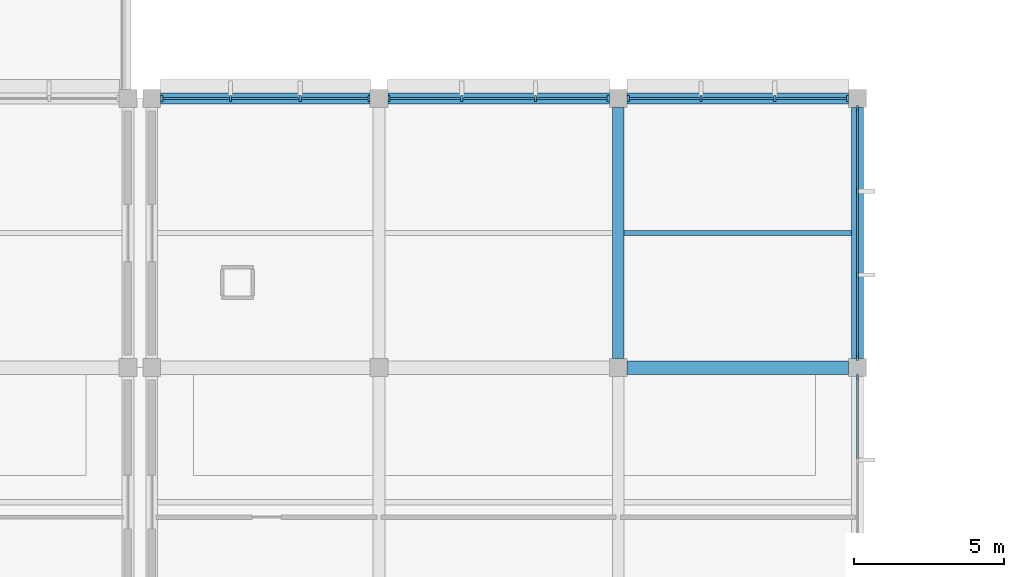
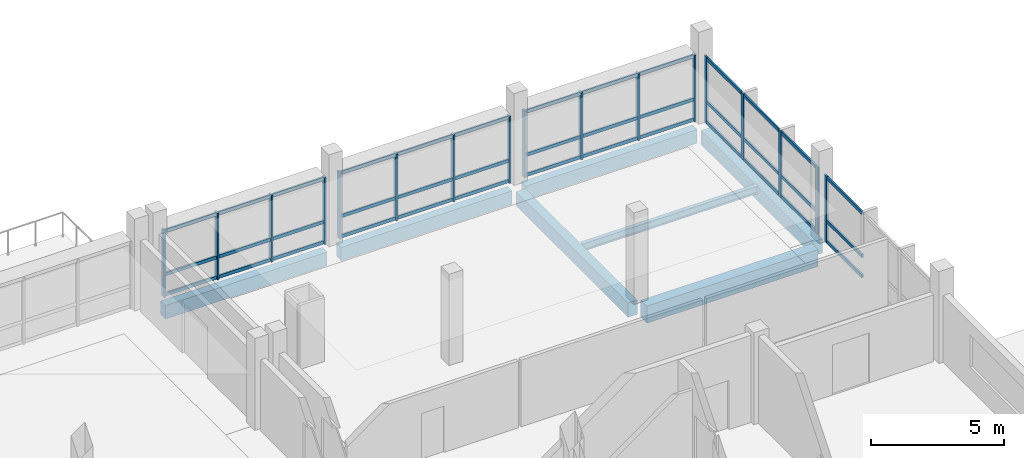
# One storey, part 41 of 70: 56 members, 7 beams, 5 elements without a shape of their own.
"""IFC4 building model written with IfcOpenShell, lengths in metres."""

from ifc_helpers import new_model, si_unit, direction, frame, origin, origin_2d, place, context, subcontext, project, spatial, rectangle, i_section, extrude, material, material_profile, profile_set, type_object, element, aggregate, save


model = new_model("IFC4")

# Units and contexts
model_context = context("Model", 3, precision=1e-05, world=origin(), true_north=direction((0.0, 1.0)))
body_context = subcontext(model_context, "Body", "Model", "MODEL_VIEW")
ifc_project = project(units=[si_unit("LENGTHUNIT", "METRE"), si_unit("AREAUNIT", "SQUARE_METRE"), si_unit("VOLUMEUNIT", "CUBIC_METRE"), si_unit("PLANEANGLEUNIT", "RADIAN"), si_unit("MASSUNIT", "GRAM", prefix="KILO"), si_unit("THERMODYNAMICTEMPERATUREUNIT", "KELVIN"), si_unit("POWERUNIT", "WATT")], contexts=[model_context])

# Site, building, storey
site_placement = place(None, origin())
site = spatial("IfcSite", under=ifc_project, at=site_placement, CompositionType="ELEMENT")
building_placement = place(site_placement, origin())
building = spatial("IfcBuilding", under=site, at=building_placement, Name="Kronsvod Quay Wholesale Market", CompositionType="ELEMENT")
storey_placement = place(building_placement, frame((0.0, 0.0, 9.0)))
storey = spatial("IfcBuildingStorey", under=building, at=storey_placement, Name="L02", CompositionType="ELEMENT", Elevation=9.0)

# Beams
ifc_material_1 = material(Name="Precast concrete C40/50", Category="concrete")
ifc_material_profile_1 = material_profile(ifc_material_1, rectangle(XDim=0.39990234375, YDim=0.64990234375, at=origin_2d()), Name="PCB400x650")
ifc_profile_set_1 = profile_set([ifc_material_profile_1], Name="Precast concrete C40/50")
beam_type_1 = type_object("IfcBeamType", Name="Beam_PCB400x650", PredefinedType="BEAM", material=ifc_profile_set_1)
for number, where, z_axis, x_axis, name in (
    (1, (144.0, 117.300048828125, -0.635009765625), (0.0, 1.0, 0.0), (-1.0, 0.0, 0.0), "BMY-L02-1440-1170"),
    (2, (152.0, 117.300048828125, -0.635009765625), (0.0, 1.0, 0.0), (-1.0, 0.0, 0.0), "BMY-L02-1520-1170"),
):
    element("IfcBeam", number, at=place(storey_placement, frame(where, z_axis=z_axis, x_axis=x_axis)), inside=storey, type_object=beam_type_1, Name=name, PredefinedType="BEAM", context=body_context, shape_type="SweptSolid", body=[
        extrude(rectangle(XDim=0.39990234375, YDim=0.64990234375, at=origin_2d()), origin(), (0.0, 0.0, 1.0), 8.39990234375),
    ])
ifc_material_2 = material(Name="Precast concrete C40/50", Category="concrete")
ifc_material_profile_2 = material_profile(ifc_material_2, rectangle(XDim=0.4599609375, YDim=0.780029296875, at=origin_2d()), Name="PB-03")
ifc_profile_set_2 = profile_set([ifc_material_profile_2], Name="Precast concrete C40/50")
beam_type_2 = type_object("IfcBeamType", Name="Beam_PCB460x780", PredefinedType="BEAM", material=ifc_profile_set_2)
beam_1_placement = place(storey_placement, frame((144.300048828125, 117.0, -0.699951171875), z_axis=(1.0, 0.0, 0.0), x_axis=(0.0, 1.0, 0.0)))
element("IfcBeam", 3, at=beam_1_placement, inside=storey, type_object=beam_type_2, Name="BMX-L02-1440-1170", PredefinedType="BEAM", context=body_context, shape_type="SweptSolid", body=[
    extrude(rectangle(XDim=0.4599609375, YDim=0.780029296875, at=origin_2d()), origin(), (0.0, 0.0, 1.0), 7.39990234375),
])
ifc_material_3 = material(Name="Steel S355", Category="steel")
ifc_material_profile_3 = material_profile(ifc_material_3, i_section(OverallWidth=0.174072265625, OverallDepth=0.345947265625, WebThickness=0.006103515625, FlangeThickness=0.009033203125, FilletRadius=0.013916015625, at=origin_2d()), Name="35B1")
ifc_profile_set_3 = profile_set([ifc_material_profile_3], Name="Steel S355")
beam_type_3 = type_object("IfcBeamType", Name="Joist_Steel35B1", PredefinedType="JOIST", material=ifc_profile_set_3)
beam_2_placement = place(storey_placement, frame((144.195068359375, 121.5, -0.423095703125), z_axis=(1.0, 0.0, 0.0), x_axis=(0.0, 1.0, 0.0)))
element("IfcBeam", 4, at=beam_2_placement, inside=storey, type_object=beam_type_3, Name="JSTX-L02-1440-1170", PredefinedType="JOIST", context=body_context, shape_type="SweptSolid", body=[
    extrude(i_section(OverallWidth=0.174072265625, OverallDepth=0.345947265625, WebThickness=0.006103515625, FlangeThickness=0.009033203125, FilletRadius=0.013916015625, at=origin_2d()), origin(), (0.0, 0.0, 1.0), 7.60986328125),
])

# Curtain wall, members
ifc_material_4 = material(Name="Thermally broken aluminium and triple low-E glazing", Category="aluminium")
curtain_wall_type_1 = type_object("IfcCurtainWallType", Name="CW_Harbour76x33", PredefinedType="NOTDEFINED", material=ifc_material_4)
curtain_wall_1_placement = place(storey_placement, origin())
curtain_wall_1 = element("IfcCurtainWall", 5, at=curtain_wall_1_placement, inside=storey, type_object=curtain_wall_type_1, Name="CWGX-L02-1284-1260", PredefinedType="NOTDEFINED")
ifc_material_5 = material(Name="Anodised aluminium", Category="aluminium")
ifc_material_profile_4 = material_profile(ifc_material_5, rectangle(XDim=0.074951171875, YDim=0.199951171875, at=origin_2d()), Name="ALUM75x200")
ifc_profile_set_4 = profile_set([ifc_material_profile_4], Name="Anodised aluminium")
member_type_1 = type_object("IfcMemberType", Name="Mullion_ALU75x200", PredefinedType="MULLION", material=ifc_profile_set_4)
member_1_placement = place(storey_placement, frame((135.66748046875, 126.0, 0.0), z_axis=(0.0, 0.0, 1.0), x_axis=(1.0, 0.0, 0.0)))
member_1 = element("IfcMember", 6, at=member_1_placement, type_object=member_type_1, Name="CWGX-L02-1284-1260-M1", PredefinedType="MULLION", context=body_context, shape_type="SweptSolid", body=[
    extrude(rectangle(XDim=0.074951171875, YDim=0.199951171875, at=origin_2d()), origin(), (0.0, 0.0, 1.0), 3.050048828125),
])
member_2_placement = place(storey_placement, frame((133.368408203125, 126.0, 0.0), z_axis=(0.0, 0.0, 1.0), x_axis=(1.0, 0.0, 0.0)))
member_2 = element("IfcMember", 7, at=member_2_placement, type_object=member_type_1, Name="CWGX-L02-1284-1260-M2", PredefinedType="MULLION", context=body_context, shape_type="SweptSolid", body=[
    extrude(rectangle(XDim=0.074951171875, YDim=0.199951171875, at=origin_2d()), origin(), (0.0, 0.0, 1.0), 3.050048828125),
])
member_3_placement = place(storey_placement, frame((131.03173828125, 126.0, 0.0), z_axis=(0.0, 0.0, 1.0), x_axis=(1.0, 0.0, 0.0)))
member_3 = element("IfcMember", 8, at=member_3_placement, type_object=member_type_1, Name="CWGX-L02-1284-1260-M3", PredefinedType="MULLION", context=body_context, shape_type="SweptSolid", body=[
    extrude(rectangle(XDim=0.074951171875, YDim=0.199951171875, at=origin_2d()), origin(), (0.0, 0.0, 1.0), 3.050048828125),
])
member_4_placement = place(storey_placement, frame((128.732421875, 126.0, 0.0), z_axis=(0.0, 0.0, 1.0), x_axis=(1.0, 0.0, 0.0)))
member_4 = element("IfcMember", 9, at=member_4_placement, type_object=member_type_1, Name="CWGX-L02-1284-1260-M4", PredefinedType="MULLION", context=body_context, shape_type="SweptSolid", body=[
    extrude(rectangle(XDim=0.074951171875, YDim=0.199951171875, at=origin_2d()), origin(), (0.0, 0.0, 1.0), 3.050048828125),
])

ifc_material_6 = material(Name="Thermally broken aluminium and triple low-E glazing", Category="aluminium")
curtain_wall_type_2 = type_object("IfcCurtainWallType", Name="CW_Harbour80x33", PredefinedType="NOTDEFINED", material=ifc_material_6)
curtain_wall_2_placement = place(storey_placement, origin())
curtain_wall_2 = element("IfcCurtainWall", 10, at=curtain_wall_2_placement, inside=storey, type_object=curtain_wall_type_2, Name="CWGX-L02-1360-1260", PredefinedType="NOTDEFINED")
member_5_placement = place(storey_placement, frame((143.66748046875, 126.0, 0.0), z_axis=(0.0, 0.0, 1.0), x_axis=(1.0, 0.0, 0.0)))
member_5 = element("IfcMember", 11, at=member_5_placement, type_object=member_type_1, Name="CWGX-L02-1360-1260-M1", PredefinedType="MULLION", context=body_context, shape_type="SweptSolid", body=[
    extrude(rectangle(XDim=0.074951171875, YDim=0.199951171875, at=origin_2d()), origin(), (0.0, 0.0, 1.0), 3.050048828125),
])
member_6_placement = place(storey_placement, frame((141.235107421875, 126.0, 0.0), z_axis=(0.0, 0.0, 1.0), x_axis=(1.0, 0.0, 0.0)))
member_6 = element("IfcMember", 12, at=member_6_placement, type_object=member_type_1, Name="CWGX-L02-1360-1260-M2", PredefinedType="MULLION", context=body_context, shape_type="SweptSolid", body=[
    extrude(rectangle(XDim=0.074951171875, YDim=0.199951171875, at=origin_2d()), origin(), (0.0, 0.0, 1.0), 3.050048828125),
])
member_7_placement = place(storey_placement, frame((138.764892578125, 126.0, 0.0), z_axis=(0.0, 0.0, 1.0), x_axis=(1.0, 0.0, 0.0)))
member_7 = element("IfcMember", 13, at=member_7_placement, type_object=member_type_1, Name="CWGX-L02-1360-1260-M3", PredefinedType="MULLION", context=body_context, shape_type="SweptSolid", body=[
    extrude(rectangle(XDim=0.074951171875, YDim=0.199951171875, at=origin_2d()), origin(), (0.0, 0.0, 1.0), 3.050048828125),
])
member_8_placement = place(storey_placement, frame((136.33251953125, 126.0, 0.0), z_axis=(0.0, 0.0, 1.0), x_axis=(1.0, 0.0, 0.0)))
member_8 = element("IfcMember", 14, at=member_8_placement, type_object=member_type_1, Name="CWGX-L02-1360-1260-M4", PredefinedType="MULLION", context=body_context, shape_type="SweptSolid", body=[
    extrude(rectangle(XDim=0.074951171875, YDim=0.199951171875, at=origin_2d()), origin(), (0.0, 0.0, 1.0), 3.050048828125),
])

curtain_wall_3_placement = place(storey_placement, origin())
curtain_wall_3 = element("IfcCurtainWall", 15, at=curtain_wall_3_placement, inside=storey, type_object=curtain_wall_type_2, Name="CWGX-L02-1440-1260", PredefinedType="NOTDEFINED")
member_9_placement = place(storey_placement, frame((151.66748046875, 126.0, 0.0), z_axis=(0.0, 0.0, 1.0), x_axis=(1.0, 0.0, 0.0)))
member_9 = element("IfcMember", 16, at=member_9_placement, type_object=member_type_1, Name="CWGX-L02-1440-1260-M1", PredefinedType="MULLION", context=body_context, shape_type="SweptSolid", body=[
    extrude(rectangle(XDim=0.074951171875, YDim=0.199951171875, at=origin_2d()), origin(), (0.0, 0.0, 1.0), 3.050048828125),
])
member_10_placement = place(storey_placement, frame((149.235107421875, 126.0, 0.0), z_axis=(0.0, 0.0, 1.0), x_axis=(1.0, 0.0, 0.0)))
member_10 = element("IfcMember", 17, at=member_10_placement, type_object=member_type_1, Name="CWGX-L02-1440-1260-M2", PredefinedType="MULLION", context=body_context, shape_type="SweptSolid", body=[
    extrude(rectangle(XDim=0.074951171875, YDim=0.199951171875, at=origin_2d()), origin(), (0.0, 0.0, 1.0), 3.050048828125),
])
member_11_placement = place(storey_placement, frame((146.764892578125, 126.0, 0.0), z_axis=(0.0, 0.0, 1.0), x_axis=(1.0, 0.0, 0.0)))
member_11 = element("IfcMember", 18, at=member_11_placement, type_object=member_type_1, Name="CWGX-L02-1440-1260-M3", PredefinedType="MULLION", context=body_context, shape_type="SweptSolid", body=[
    extrude(rectangle(XDim=0.074951171875, YDim=0.199951171875, at=origin_2d()), origin(), (0.0, 0.0, 1.0), 3.050048828125),
])
member_12_placement = place(storey_placement, frame((144.33251953125, 126.0, 0.0), z_axis=(0.0, 0.0, 1.0), x_axis=(1.0, 0.0, 0.0)))
member_12 = element("IfcMember", 19, at=member_12_placement, type_object=member_type_1, Name="CWGX-L02-1440-1260-M4", PredefinedType="MULLION", context=body_context, shape_type="SweptSolid", body=[
    extrude(rectangle(XDim=0.074951171875, YDim=0.199951171875, at=origin_2d()), origin(), (0.0, 0.0, 1.0), 3.050048828125),
])

# Curtain wall, member
ifc_material_7 = material(Name="Thermally broken aluminium and triple low-E glazing", Category="aluminium")
curtain_wall_type_3 = type_object("IfcCurtainWallType", Name="CW_Wing90x33", PredefinedType="NOTDEFINED", material=ifc_material_7)
curtain_wall_4_placement = place(storey_placement, origin())
curtain_wall_4 = element("IfcCurtainWall", 20, at=curtain_wall_4_placement, inside=storey, type_object=curtain_wall_type_3, Name="CWGY-L02-1520-1080", PredefinedType="NOTDEFINED")
member_13_placement = place(storey_placement, frame((152.0, 116.66748046875, 0.0), z_axis=(0.0, 0.0, 1.0), x_axis=(1.0, 0.0, 0.0)))
member_13 = element("IfcMember", 21, at=member_13_placement, type_object=member_type_1, Name="CWGY-L02-1520-1080-M4", PredefinedType="MULLION", context=body_context, shape_type="SweptSolid", body=[
    extrude(rectangle(XDim=0.074951171875, YDim=0.199951171875, at=origin_2d()), origin(), (0.0, 0.0, 1.0), 3.050048828125),
])

# Curtain wall, members
curtain_wall_5_placement = place(storey_placement, origin())
curtain_wall_5 = element("IfcCurtainWall", 22, at=curtain_wall_5_placement, inside=storey, type_object=curtain_wall_type_3, Name="CWGY-L02-1520-1170", PredefinedType="NOTDEFINED")
member_14_placement = place(storey_placement, frame((152.0, 117.33251953125, 0.0), z_axis=(0.0, 0.0, 1.0), x_axis=(1.0, 0.0, 0.0)))
member_14 = element("IfcMember", 23, at=member_14_placement, type_object=member_type_1, Name="CWGY-L02-1520-1170-M1", PredefinedType="MULLION", context=body_context, shape_type="SweptSolid", body=[
    extrude(rectangle(XDim=0.074951171875, YDim=0.199951171875, at=origin_2d()), origin(), (0.0, 0.0, 1.0), 3.050048828125),
])
member_15_placement = place(storey_placement, frame((152.0, 120.098388671875, 0.0), z_axis=(0.0, 0.0, 1.0), x_axis=(1.0, 0.0, 0.0)))
member_15 = element("IfcMember", 24, at=member_15_placement, type_object=member_type_1, Name="CWGY-L02-1520-1170-M2", PredefinedType="MULLION", context=body_context, shape_type="SweptSolid", body=[
    extrude(rectangle(XDim=0.074951171875, YDim=0.199951171875, at=origin_2d()), origin(), (0.0, 0.0, 1.0), 3.050048828125),
])
member_16_placement = place(storey_placement, frame((152.0, 122.901611328125, 0.0), z_axis=(0.0, 0.0, 1.0), x_axis=(1.0, 0.0, 0.0)))
member_16 = element("IfcMember", 25, at=member_16_placement, type_object=member_type_1, Name="CWGY-L02-1520-1170-M3", PredefinedType="MULLION", context=body_context, shape_type="SweptSolid", body=[
    extrude(rectangle(XDim=0.074951171875, YDim=0.199951171875, at=origin_2d()), origin(), (0.0, 0.0, 1.0), 3.050048828125),
])
member_17_placement = place(storey_placement, frame((152.0, 125.66748046875, 0.0), z_axis=(0.0, 0.0, 1.0), x_axis=(1.0, 0.0, 0.0)))
member_17 = element("IfcMember", 26, at=member_17_placement, type_object=member_type_1, Name="CWGY-L02-1520-1170-M4", PredefinedType="MULLION", context=body_context, shape_type="SweptSolid", body=[
    extrude(rectangle(XDim=0.074951171875, YDim=0.199951171875, at=origin_2d()), origin(), (0.0, 0.0, 1.0), 3.050048828125),
])

# Beams
ifc_material_8 = material(Name="Precast concrete C40/50", Category="concrete")
ifc_material_profile_5 = material_profile(ifc_material_8, rectangle(XDim=0.360107421875, YDim=0.6201171875, at=origin_2d()), Name="SPB-02")
ifc_profile_set_5 = profile_set([ifc_material_profile_5], Name="Precast concrete C40/50")
beam_type_4 = type_object("IfcBeamType", Name="Spandrel_PCSP360x620", PredefinedType="SPANDREL", material=ifc_profile_set_5)
beam_3_placement = place(storey_placement, frame((128.699951171875, 126.0, -0.6201171875), z_axis=(1.0, 0.0, 0.0), x_axis=(0.0, 1.0, 0.0)))
element("IfcBeam", 27, at=beam_3_placement, inside=storey, type_object=beam_type_4, Name="BMX-L02-1284-1260", PredefinedType="SPANDREL", context=body_context, shape_type="SweptSolid", body=[
    extrude(rectangle(XDim=0.360107421875, YDim=0.6201171875, at=origin_2d()), origin(), (0.0, 0.0, 1.0), 7.0),
])
for number, where, z_axis, x_axis, name in (
    (28, (136.300048828125, 126.0, -0.6201171875), (1.0, 0.0, 0.0), (0.0, 1.0, 0.0), "BMX-L02-1360-1260"),
    (29, (144.300048828125, 126.0, -0.6201171875), (1.0, 0.0, 0.0), (0.0, 1.0, 0.0), "BMX-L02-1440-1260"),
):
    element("IfcBeam", number, at=place(storey_placement, frame(where, z_axis=z_axis, x_axis=x_axis)), inside=storey, type_object=beam_type_4, Name=name, PredefinedType="SPANDREL", context=body_context, shape_type="SweptSolid", body=[
        extrude(rectangle(XDim=0.360107421875, YDim=0.6201171875, at=origin_2d()), origin(), (0.0, 0.0, 1.0), 7.39990234375),
    ])

# Member
ifc_material_9 = material(Name="Anodised aluminium", Category="aluminium")
ifc_material_profile_6 = material_profile(ifc_material_9, rectangle(XDim=0.074951171875, YDim=0.14990234375, at=origin_2d()), Name="ALUT75x150")
ifc_profile_set_6 = profile_set([ifc_material_profile_6], Name="Anodised aluminium")
member_type_2 = type_object("IfcMemberType", Name="Transom_ALU75x150", PredefinedType="USERDEFINED", material=ifc_profile_set_6)
member_18_placement = place(storey_placement, frame((135.6298828125, 126.0, 0.074951171875), z_axis=(-1.0, 0.0, 0.0), x_axis=(0.0, -1.0, 0.0)))
member_18 = element("IfcMember", 30, at=member_18_placement, type_object=member_type_2, Name="CWGX-L02-1284-1260-T1B1", ObjectType="TRANSOM", PredefinedType="USERDEFINED", context=body_context, shape_type="SweptSolid", body=[
    extrude(rectangle(XDim=0.074951171875, YDim=0.14990234375, at=origin_2d()), origin(), (0.0, 0.0, 1.0), 2.22412109375),
])

member_19_placement = place(storey_placement, frame((133.330810546875, 126.0, 0.074951171875), z_axis=(-1.0, 0.0, 0.0), x_axis=(0.0, -1.0, 0.0)))
member_19 = element("IfcMember", 31, at=member_19_placement, type_object=member_type_2, Name="CWGX-L02-1284-1260-T1B2", ObjectType="TRANSOM", PredefinedType="USERDEFINED", context=body_context, shape_type="SweptSolid", body=[
    extrude(rectangle(XDim=0.074951171875, YDim=0.14990234375, at=origin_2d()), origin(), (0.0, 0.0, 1.0), 2.26171875),
])

member_20_placement = place(storey_placement, frame((130.994140625, 126.0, 0.074951171875), z_axis=(-1.0, 0.0, 0.0), x_axis=(0.0, -1.0, 0.0)))
member_20 = element("IfcMember", 32, at=member_20_placement, type_object=member_type_2, Name="CWGX-L02-1284-1260-T1B3", ObjectType="TRANSOM", PredefinedType="USERDEFINED", context=body_context, shape_type="SweptSolid", body=[
    extrude(rectangle(XDim=0.074951171875, YDim=0.14990234375, at=origin_2d()), origin(), (0.0, 0.0, 1.0), 2.22412109375),
])

member_21_placement = place(storey_placement, frame((135.6298828125, 126.0, 1.0), z_axis=(-1.0, 0.0, 0.0), x_axis=(0.0, -1.0, 0.0)))
member_21 = element("IfcMember", 33, at=member_21_placement, type_object=member_type_2, Name="CWGX-L02-1284-1260-T2B1", ObjectType="TRANSOM", PredefinedType="USERDEFINED", context=body_context, shape_type="SweptSolid", body=[
    extrude(rectangle(XDim=0.074951171875, YDim=0.14990234375, at=origin_2d()), origin(), (0.0, 0.0, 1.0), 2.22412109375),
])

member_22_placement = place(storey_placement, frame((133.330810546875, 126.0, 1.0), z_axis=(-1.0, 0.0, 0.0), x_axis=(0.0, -1.0, 0.0)))
member_22 = element("IfcMember", 34, at=member_22_placement, type_object=member_type_2, Name="CWGX-L02-1284-1260-T2B2", ObjectType="TRANSOM", PredefinedType="USERDEFINED", context=body_context, shape_type="SweptSolid", body=[
    extrude(rectangle(XDim=0.074951171875, YDim=0.14990234375, at=origin_2d()), origin(), (0.0, 0.0, 1.0), 2.26171875),
])

member_23_placement = place(storey_placement, frame((130.994140625, 126.0, 1.0), z_axis=(-1.0, 0.0, 0.0), x_axis=(0.0, -1.0, 0.0)))
member_23 = element("IfcMember", 35, at=member_23_placement, type_object=member_type_2, Name="CWGX-L02-1284-1260-T2B3", ObjectType="TRANSOM", PredefinedType="USERDEFINED", context=body_context, shape_type="SweptSolid", body=[
    extrude(rectangle(XDim=0.074951171875, YDim=0.14990234375, at=origin_2d()), origin(), (0.0, 0.0, 1.0), 2.22412109375),
])

member_24_placement = place(storey_placement, frame((135.6298828125, 126.0, 2.97509765625), z_axis=(-1.0, 0.0, 0.0), x_axis=(0.0, -1.0, 0.0)))
member_24 = element("IfcMember", 36, at=member_24_placement, type_object=member_type_2, Name="CWGX-L02-1284-1260-T3B1", ObjectType="TRANSOM", PredefinedType="USERDEFINED", context=body_context, shape_type="SweptSolid", body=[
    extrude(rectangle(XDim=0.074951171875, YDim=0.14990234375, at=origin_2d()), origin(), (0.0, 0.0, 1.0), 2.22412109375),
])

member_25_placement = place(storey_placement, frame((133.330810546875, 126.0, 2.97509765625), z_axis=(-1.0, 0.0, 0.0), x_axis=(0.0, -1.0, 0.0)))
member_25 = element("IfcMember", 37, at=member_25_placement, type_object=member_type_2, Name="CWGX-L02-1284-1260-T3B2", ObjectType="TRANSOM", PredefinedType="USERDEFINED", context=body_context, shape_type="SweptSolid", body=[
    extrude(rectangle(XDim=0.074951171875, YDim=0.14990234375, at=origin_2d()), origin(), (0.0, 0.0, 1.0), 2.26171875),
])

member_26_placement = place(storey_placement, frame((130.994140625, 126.0, 2.97509765625), z_axis=(-1.0, 0.0, 0.0), x_axis=(0.0, -1.0, 0.0)))
member_26 = element("IfcMember", 38, at=member_26_placement, type_object=member_type_2, Name="CWGX-L02-1284-1260-T3B3", ObjectType="TRANSOM", PredefinedType="USERDEFINED", context=body_context, shape_type="SweptSolid", body=[
    extrude(rectangle(XDim=0.074951171875, YDim=0.14990234375, at=origin_2d()), origin(), (0.0, 0.0, 1.0), 2.22412109375),
])

aggregate(curtain_wall_1, [member_1, member_2, member_3, member_4, member_18, member_19, member_20, member_21, member_22, member_23, member_24, member_25, member_26])

member_27_placement = place(storey_placement, frame((143.6298828125, 126.0, 0.074951171875), z_axis=(-1.0, 0.0, 0.0), x_axis=(0.0, -1.0, 0.0)))
member_27 = element("IfcMember", 39, at=member_27_placement, type_object=member_type_2, Name="CWGX-L02-1360-1260-T1B1", ObjectType="TRANSOM", PredefinedType="USERDEFINED", context=body_context, shape_type="SweptSolid", body=[
    extrude(rectangle(XDim=0.074951171875, YDim=0.14990234375, at=origin_2d()), origin(), (0.0, 0.0, 1.0), 2.357421875),
])

member_28_placement = place(storey_placement, frame((141.197509765625, 126.0, 0.074951171875), z_axis=(-1.0, 0.0, 0.0), x_axis=(0.0, -1.0, 0.0)))
member_28 = element("IfcMember", 40, at=member_28_placement, type_object=member_type_2, Name="CWGX-L02-1360-1260-T1B2", ObjectType="TRANSOM", PredefinedType="USERDEFINED", context=body_context, shape_type="SweptSolid", body=[
    extrude(rectangle(XDim=0.074951171875, YDim=0.14990234375, at=origin_2d()), origin(), (0.0, 0.0, 1.0), 2.39501953125),
])

member_29_placement = place(storey_placement, frame((138.7275390625, 126.0, 0.074951171875), z_axis=(-1.0, 0.0, 0.0), x_axis=(0.0, -1.0, 0.0)))
member_29 = element("IfcMember", 41, at=member_29_placement, type_object=member_type_2, Name="CWGX-L02-1360-1260-T1B3", ObjectType="TRANSOM", PredefinedType="USERDEFINED", context=body_context, shape_type="SweptSolid", body=[
    extrude(rectangle(XDim=0.074951171875, YDim=0.14990234375, at=origin_2d()), origin(), (0.0, 0.0, 1.0), 2.357421875),
])

member_30_placement = place(storey_placement, frame((143.6298828125, 126.0, 1.0), z_axis=(-1.0, 0.0, 0.0), x_axis=(0.0, -1.0, 0.0)))
member_30 = element("IfcMember", 42, at=member_30_placement, type_object=member_type_2, Name="CWGX-L02-1360-1260-T2B1", ObjectType="TRANSOM", PredefinedType="USERDEFINED", context=body_context, shape_type="SweptSolid", body=[
    extrude(rectangle(XDim=0.074951171875, YDim=0.14990234375, at=origin_2d()), origin(), (0.0, 0.0, 1.0), 2.357421875),
])

member_31_placement = place(storey_placement, frame((141.197509765625, 126.0, 1.0), z_axis=(-1.0, 0.0, 0.0), x_axis=(0.0, -1.0, 0.0)))
member_31 = element("IfcMember", 43, at=member_31_placement, type_object=member_type_2, Name="CWGX-L02-1360-1260-T2B2", ObjectType="TRANSOM", PredefinedType="USERDEFINED", context=body_context, shape_type="SweptSolid", body=[
    extrude(rectangle(XDim=0.074951171875, YDim=0.14990234375, at=origin_2d()), origin(), (0.0, 0.0, 1.0), 2.39501953125),
])

member_32_placement = place(storey_placement, frame((138.7275390625, 126.0, 1.0), z_axis=(-1.0, 0.0, 0.0), x_axis=(0.0, -1.0, 0.0)))
member_32 = element("IfcMember", 44, at=member_32_placement, type_object=member_type_2, Name="CWGX-L02-1360-1260-T2B3", ObjectType="TRANSOM", PredefinedType="USERDEFINED", context=body_context, shape_type="SweptSolid", body=[
    extrude(rectangle(XDim=0.074951171875, YDim=0.14990234375, at=origin_2d()), origin(), (0.0, 0.0, 1.0), 2.357421875),
])

member_33_placement = place(storey_placement, frame((143.6298828125, 126.0, 2.97509765625), z_axis=(-1.0, 0.0, 0.0), x_axis=(0.0, -1.0, 0.0)))
member_33 = element("IfcMember", 45, at=member_33_placement, type_object=member_type_2, Name="CWGX-L02-1360-1260-T3B1", ObjectType="TRANSOM", PredefinedType="USERDEFINED", context=body_context, shape_type="SweptSolid", body=[
    extrude(rectangle(XDim=0.074951171875, YDim=0.14990234375, at=origin_2d()), origin(), (0.0, 0.0, 1.0), 2.357421875),
])

member_34_placement = place(storey_placement, frame((141.197509765625, 126.0, 2.97509765625), z_axis=(-1.0, 0.0, 0.0), x_axis=(0.0, -1.0, 0.0)))
member_34 = element("IfcMember", 46, at=member_34_placement, type_object=member_type_2, Name="CWGX-L02-1360-1260-T3B2", ObjectType="TRANSOM", PredefinedType="USERDEFINED", context=body_context, shape_type="SweptSolid", body=[
    extrude(rectangle(XDim=0.074951171875, YDim=0.14990234375, at=origin_2d()), origin(), (0.0, 0.0, 1.0), 2.39501953125),
])

member_35_placement = place(storey_placement, frame((138.7275390625, 126.0, 2.97509765625), z_axis=(-1.0, 0.0, 0.0), x_axis=(0.0, -1.0, 0.0)))
member_35 = element("IfcMember", 47, at=member_35_placement, type_object=member_type_2, Name="CWGX-L02-1360-1260-T3B3", ObjectType="TRANSOM", PredefinedType="USERDEFINED", context=body_context, shape_type="SweptSolid", body=[
    extrude(rectangle(XDim=0.074951171875, YDim=0.14990234375, at=origin_2d()), origin(), (0.0, 0.0, 1.0), 2.357421875),
])

aggregate(curtain_wall_2, [member_5, member_6, member_7, member_8, member_27, member_28, member_29, member_30, member_31, member_32, member_33, member_34, member_35])

member_36_placement = place(storey_placement, frame((151.6298828125, 126.0, 0.074951171875), z_axis=(-1.0, 0.0, 0.0), x_axis=(0.0, -1.0, 0.0)))
member_36 = element("IfcMember", 48, at=member_36_placement, type_object=member_type_2, Name="CWGX-L02-1440-1260-T1B1", ObjectType="TRANSOM", PredefinedType="USERDEFINED", context=body_context, shape_type="SweptSolid", body=[
    extrude(rectangle(XDim=0.074951171875, YDim=0.14990234375, at=origin_2d()), origin(), (0.0, 0.0, 1.0), 2.357421875),
])

member_37_placement = place(storey_placement, frame((149.197509765625, 126.0, 0.074951171875), z_axis=(-1.0, 0.0, 0.0), x_axis=(0.0, -1.0, 0.0)))
member_37 = element("IfcMember", 49, at=member_37_placement, type_object=member_type_2, Name="CWGX-L02-1440-1260-T1B2", ObjectType="TRANSOM", PredefinedType="USERDEFINED", context=body_context, shape_type="SweptSolid", body=[
    extrude(rectangle(XDim=0.074951171875, YDim=0.14990234375, at=origin_2d()), origin(), (0.0, 0.0, 1.0), 2.39501953125),
])

member_38_placement = place(storey_placement, frame((146.7275390625, 126.0, 0.074951171875), z_axis=(-1.0, 0.0, 0.0), x_axis=(0.0, -1.0, 0.0)))
member_38 = element("IfcMember", 50, at=member_38_placement, type_object=member_type_2, Name="CWGX-L02-1440-1260-T1B3", ObjectType="TRANSOM", PredefinedType="USERDEFINED", context=body_context, shape_type="SweptSolid", body=[
    extrude(rectangle(XDim=0.074951171875, YDim=0.14990234375, at=origin_2d()), origin(), (0.0, 0.0, 1.0), 2.357421875),
])

member_39_placement = place(storey_placement, frame((151.6298828125, 126.0, 1.0), z_axis=(-1.0, 0.0, 0.0), x_axis=(0.0, -1.0, 0.0)))
member_39 = element("IfcMember", 51, at=member_39_placement, type_object=member_type_2, Name="CWGX-L02-1440-1260-T2B1", ObjectType="TRANSOM", PredefinedType="USERDEFINED", context=body_context, shape_type="SweptSolid", body=[
    extrude(rectangle(XDim=0.074951171875, YDim=0.14990234375, at=origin_2d()), origin(), (0.0, 0.0, 1.0), 2.357421875),
])

member_40_placement = place(storey_placement, frame((149.197509765625, 126.0, 1.0), z_axis=(-1.0, 0.0, 0.0), x_axis=(0.0, -1.0, 0.0)))
member_40 = element("IfcMember", 52, at=member_40_placement, type_object=member_type_2, Name="CWGX-L02-1440-1260-T2B2", ObjectType="TRANSOM", PredefinedType="USERDEFINED", context=body_context, shape_type="SweptSolid", body=[
    extrude(rectangle(XDim=0.074951171875, YDim=0.14990234375, at=origin_2d()), origin(), (0.0, 0.0, 1.0), 2.39501953125),
])

member_41_placement = place(storey_placement, frame((146.7275390625, 126.0, 1.0), z_axis=(-1.0, 0.0, 0.0), x_axis=(0.0, -1.0, 0.0)))
member_41 = element("IfcMember", 53, at=member_41_placement, type_object=member_type_2, Name="CWGX-L02-1440-1260-T2B3", ObjectType="TRANSOM", PredefinedType="USERDEFINED", context=body_context, shape_type="SweptSolid", body=[
    extrude(rectangle(XDim=0.074951171875, YDim=0.14990234375, at=origin_2d()), origin(), (0.0, 0.0, 1.0), 2.357421875),
])

member_42_placement = place(storey_placement, frame((151.6298828125, 126.0, 2.97509765625), z_axis=(-1.0, 0.0, 0.0), x_axis=(0.0, -1.0, 0.0)))
member_42 = element("IfcMember", 54, at=member_42_placement, type_object=member_type_2, Name="CWGX-L02-1440-1260-T3B1", ObjectType="TRANSOM", PredefinedType="USERDEFINED", context=body_context, shape_type="SweptSolid", body=[
    extrude(rectangle(XDim=0.074951171875, YDim=0.14990234375, at=origin_2d()), origin(), (0.0, 0.0, 1.0), 2.357421875),
])

member_43_placement = place(storey_placement, frame((149.197509765625, 126.0, 2.97509765625), z_axis=(-1.0, 0.0, 0.0), x_axis=(0.0, -1.0, 0.0)))
member_43 = element("IfcMember", 55, at=member_43_placement, type_object=member_type_2, Name="CWGX-L02-1440-1260-T3B2", ObjectType="TRANSOM", PredefinedType="USERDEFINED", context=body_context, shape_type="SweptSolid", body=[
    extrude(rectangle(XDim=0.074951171875, YDim=0.14990234375, at=origin_2d()), origin(), (0.0, 0.0, 1.0), 2.39501953125),
])

member_44_placement = place(storey_placement, frame((146.7275390625, 126.0, 2.97509765625), z_axis=(-1.0, 0.0, 0.0), x_axis=(0.0, -1.0, 0.0)))
member_44 = element("IfcMember", 56, at=member_44_placement, type_object=member_type_2, Name="CWGX-L02-1440-1260-T3B3", ObjectType="TRANSOM", PredefinedType="USERDEFINED", context=body_context, shape_type="SweptSolid", body=[
    extrude(rectangle(XDim=0.074951171875, YDim=0.14990234375, at=origin_2d()), origin(), (0.0, 0.0, 1.0), 2.357421875),
])

aggregate(curtain_wall_3, [member_9, member_10, member_11, member_12, member_36, member_37, member_38, member_39, member_40, member_41, member_42, member_43, member_44])

member_45_placement = place(storey_placement, frame((152.0, 113.947509765625, 0.074951171875), z_axis=(0.0, 1.0, 0.0), x_axis=(-1.0, 0.0, 0.0)))
member_45 = element("IfcMember", 57, at=member_45_placement, type_object=member_type_2, Name="CWGY-L02-1520-1080-T1B3", ObjectType="TRANSOM", PredefinedType="USERDEFINED", context=body_context, shape_type="SweptSolid", body=[
    extrude(rectangle(XDim=0.074951171875, YDim=0.14990234375, at=origin_2d()), origin(), (0.0, 0.0, 1.0), 2.682373046875),
])

member_46_placement = place(storey_placement, frame((152.0, 113.947509765625, 1.0), z_axis=(0.0, 1.0, 0.0), x_axis=(-1.0, 0.0, 0.0)))
member_46 = element("IfcMember", 58, at=member_46_placement, type_object=member_type_2, Name="CWGY-L02-1520-1080-T2B3", ObjectType="TRANSOM", PredefinedType="USERDEFINED", context=body_context, shape_type="SweptSolid", body=[
    extrude(rectangle(XDim=0.074951171875, YDim=0.14990234375, at=origin_2d()), origin(), (0.0, 0.0, 1.0), 2.682373046875),
])

member_47_placement = place(storey_placement, frame((152.0, 113.947509765625, 2.97509765625), z_axis=(0.0, 1.0, 0.0), x_axis=(-1.0, 0.0, 0.0)))
member_47 = element("IfcMember", 59, at=member_47_placement, type_object=member_type_2, Name="CWGY-L02-1520-1080-T3B3", ObjectType="TRANSOM", PredefinedType="USERDEFINED", context=body_context, shape_type="SweptSolid", body=[
    extrude(rectangle(XDim=0.074951171875, YDim=0.14990234375, at=origin_2d()), origin(), (0.0, 0.0, 1.0), 2.682373046875),
])

aggregate(curtain_wall_4, [member_13, member_45, member_46, member_47])

member_48_placement = place(storey_placement, frame((152.0, 117.3701171875, 0.074951171875), z_axis=(0.0, 1.0, 0.0), x_axis=(-1.0, 0.0, 0.0)))
member_48 = element("IfcMember", 60, at=member_48_placement, type_object=member_type_2, Name="CWGY-L02-1520-1170-T1B1", ObjectType="TRANSOM", PredefinedType="USERDEFINED", context=body_context, shape_type="SweptSolid", body=[
    extrude(rectangle(XDim=0.074951171875, YDim=0.14990234375, at=origin_2d()), origin(), (0.0, 0.0, 1.0), 2.690673828125),
])

member_49_placement = place(storey_placement, frame((152.0, 120.1357421875, 0.074951171875), z_axis=(0.0, 1.0, 0.0), x_axis=(-1.0, 0.0, 0.0)))
member_49 = element("IfcMember", 61, at=member_49_placement, type_object=member_type_2, Name="CWGY-L02-1520-1170-T1B2", ObjectType="TRANSOM", PredefinedType="USERDEFINED", context=body_context, shape_type="SweptSolid", body=[
    extrude(rectangle(XDim=0.074951171875, YDim=0.14990234375, at=origin_2d()), origin(), (0.0, 0.0, 1.0), 2.728515625),
])

member_50_placement = place(storey_placement, frame((152.0, 122.939208984375, 0.074951171875), z_axis=(0.0, 1.0, 0.0), x_axis=(-1.0, 0.0, 0.0)))
member_50 = element("IfcMember", 62, at=member_50_placement, type_object=member_type_2, Name="CWGY-L02-1520-1170-T1B3", ObjectType="TRANSOM", PredefinedType="USERDEFINED", context=body_context, shape_type="SweptSolid", body=[
    extrude(rectangle(XDim=0.074951171875, YDim=0.14990234375, at=origin_2d()), origin(), (0.0, 0.0, 1.0), 2.690673828125),
])

member_51_placement = place(storey_placement, frame((152.0, 117.3701171875, 1.0), z_axis=(0.0, 1.0, 0.0), x_axis=(-1.0, 0.0, 0.0)))
member_51 = element("IfcMember", 63, at=member_51_placement, type_object=member_type_2, Name="CWGY-L02-1520-1170-T2B1", ObjectType="TRANSOM", PredefinedType="USERDEFINED", context=body_context, shape_type="SweptSolid", body=[
    extrude(rectangle(XDim=0.074951171875, YDim=0.14990234375, at=origin_2d()), origin(), (0.0, 0.0, 1.0), 2.690673828125),
])

member_52_placement = place(storey_placement, frame((152.0, 120.1357421875, 1.0), z_axis=(0.0, 1.0, 0.0), x_axis=(-1.0, 0.0, 0.0)))
member_52 = element("IfcMember", 64, at=member_52_placement, type_object=member_type_2, Name="CWGY-L02-1520-1170-T2B2", ObjectType="TRANSOM", PredefinedType="USERDEFINED", context=body_context, shape_type="SweptSolid", body=[
    extrude(rectangle(XDim=0.074951171875, YDim=0.14990234375, at=origin_2d()), origin(), (0.0, 0.0, 1.0), 2.728515625),
])

member_53_placement = place(storey_placement, frame((152.0, 122.939208984375, 1.0), z_axis=(0.0, 1.0, 0.0), x_axis=(-1.0, 0.0, 0.0)))
member_53 = element("IfcMember", 65, at=member_53_placement, type_object=member_type_2, Name="CWGY-L02-1520-1170-T2B3", ObjectType="TRANSOM", PredefinedType="USERDEFINED", context=body_context, shape_type="SweptSolid", body=[
    extrude(rectangle(XDim=0.074951171875, YDim=0.14990234375, at=origin_2d()), origin(), (0.0, 0.0, 1.0), 2.690673828125),
])

member_54_placement = place(storey_placement, frame((152.0, 117.3701171875, 2.97509765625), z_axis=(0.0, 1.0, 0.0), x_axis=(-1.0, 0.0, 0.0)))
member_54 = element("IfcMember", 66, at=member_54_placement, type_object=member_type_2, Name="CWGY-L02-1520-1170-T3B1", ObjectType="TRANSOM", PredefinedType="USERDEFINED", context=body_context, shape_type="SweptSolid", body=[
    extrude(rectangle(XDim=0.074951171875, YDim=0.14990234375, at=origin_2d()), origin(), (0.0, 0.0, 1.0), 2.690673828125),
])

member_55_placement = place(storey_placement, frame((152.0, 120.1357421875, 2.97509765625), z_axis=(0.0, 1.0, 0.0), x_axis=(-1.0, 0.0, 0.0)))
member_55 = element("IfcMember", 67, at=member_55_placement, type_object=member_type_2, Name="CWGY-L02-1520-1170-T3B2", ObjectType="TRANSOM", PredefinedType="USERDEFINED", context=body_context, shape_type="SweptSolid", body=[
    extrude(rectangle(XDim=0.074951171875, YDim=0.14990234375, at=origin_2d()), origin(), (0.0, 0.0, 1.0), 2.728515625),
])

member_56_placement = place(storey_placement, frame((152.0, 122.939208984375, 2.97509765625), z_axis=(0.0, 1.0, 0.0), x_axis=(-1.0, 0.0, 0.0)))
member_56 = element("IfcMember", 68, at=member_56_placement, type_object=member_type_2, Name="CWGY-L02-1520-1170-T3B3", ObjectType="TRANSOM", PredefinedType="USERDEFINED", context=body_context, shape_type="SweptSolid", body=[
    extrude(rectangle(XDim=0.074951171875, YDim=0.14990234375, at=origin_2d()), origin(), (0.0, 0.0, 1.0), 2.690673828125),
])

aggregate(curtain_wall_5, [member_14, member_15, member_16, member_17, member_48, member_49, member_50, member_51, member_52, member_53, member_54, member_55, member_56])

save(model, "model.ifc")
